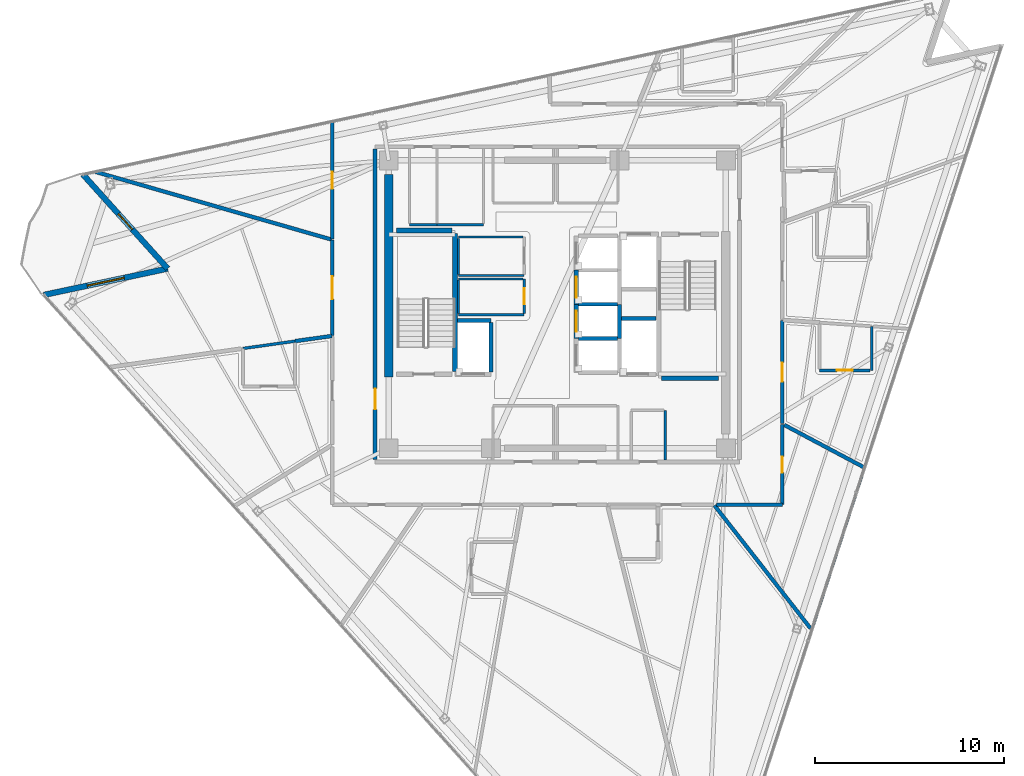
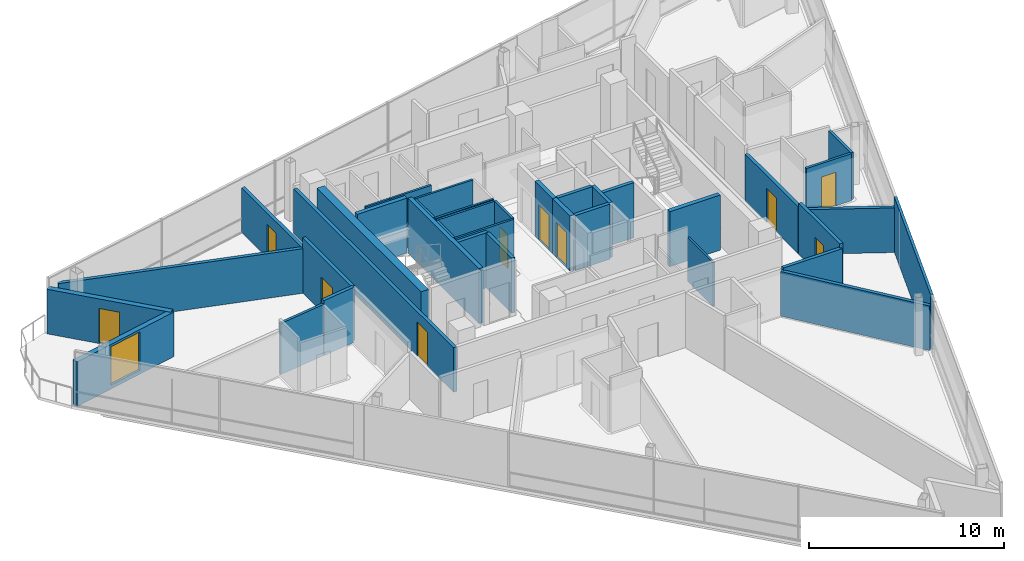
# One storey, part 11 of 17: 38 walls, 10 doors, 1 window, 11 openings.
"""IFC4 building model written with IfcOpenShell, lengths in metres."""

import ifcopenshell
import ifcopenshell.guid

model = None  # the IFC model being written
_history = None  # IfcOwnerHistory: only IFC2X3 demands one
_inside = {}  # id of a spatial element -> (the spatial element, [elements in it])
_under = {}  # id of a project, library or spatial element -> (it, [spatial elements below it])
_declared = {}  # id of a project -> (the project, [libraries it declares])
_typed = {}  # id of a type object -> (the type object, [elements of that type])
_made_of = {}  # id of a material, layer set ... -> (it, [elements and type objects made of it])


def new_model(schema):
    """Start an empty IFC model of exactly this schema.

    Asked for "IFC4X3", IfcOpenShell would pick the latest addendum, in which some entities
    have other attributes; the version numbers below select the first issue.
    IFC2X3 requires an IfcOwnerHistory on every rooted entity: one is made here for all.
    """
    global model, _history
    if schema == "IFC4X3":
        model = ifcopenshell.file(schema_version=(4, 3, 0, 0))
    else:
        model = ifcopenshell.file(schema=schema)
    _inside.clear()
    _under.clear()
    _declared.clear()
    _typed.clear()
    _made_of.clear()
    _history = None
    if model.schema == "IFC2X3":
        org = make("IfcOrganization", Name="unknown")
        user = make(
            "IfcPersonAndOrganization",
            ThePerson=make("IfcPerson", FamilyName="unknown"),
            TheOrganization=org,
        )
        app = make(
            "IfcApplication",
            ApplicationDeveloper=org,
            Version="unknown",
            ApplicationFullName="unknown",
            ApplicationIdentifier="unknown",
        )
        _history = make(
            "IfcOwnerHistory",
            OwningUser=user,
            OwningApplication=app,
            ChangeAction="ADDED",
            CreationDate=0,
        )
    return model


def make(cls, **values):
    """One entity of the class cls with the attributes given. An attribute that is None is left unset."""
    return model.create_entity(
        cls, **{name: value for name, value in values.items() if value is not None}
    )


def rooted(cls, **values):
    """An entity with a GlobalId (a new one), such as an element, a storey or a relation."""
    return make(cls, GlobalId=ifcopenshell.guid.new(), OwnerHistory=_history, **values)


def si_unit(unit_type, name, prefix=None):
    """IfcSIUnit, for example si_unit("LENGTHUNIT", "METRE", prefix="MILLI")."""
    return make("IfcSIUnit", UnitType=unit_type, Prefix=prefix, Name=name)


def assignment(units):
    """IfcUnitAssignment: the units of a project."""
    return None if units is None else make("IfcUnitAssignment", Units=units)


def point(xyz):
    """IfcCartesianPoint."""
    return None if xyz is None else make("IfcCartesianPoint", Coordinates=xyz)


def direction(xyz):
    """IfcDirection."""
    return None if xyz is None else make("IfcDirection", DirectionRatios=xyz)


def frame(location, z_axis=None, x_axis=None):
    """IfcAxis2Placement3D, a coordinate frame: its origin and axes. An axis left out is left unset."""
    return make(
        "IfcAxis2Placement3D",
        Location=point(location),
        Axis=direction(z_axis),
        RefDirection=direction(x_axis),
    )


def frame_2d(location, x_axis=None):
    """IfcAxis2Placement2D, a coordinate frame in the plane: its origin and x axis."""
    return make(
        "IfcAxis2Placement2D", Location=point(location), RefDirection=direction(x_axis)
    )


def origin():
    """The frame at (0, 0, 0) with its axes left unset."""
    return frame((0.0, 0.0, 0.0))


def place(relative_to, where):
    """IfcLocalPlacement: puts the frame where relative to a parent placement (None: the world)."""
    return make(
        "IfcLocalPlacement", PlacementRelTo=relative_to, RelativePlacement=where
    )


def context(
    kind, dimensions, precision=None, world=None, true_north=None, identifier=None
):
    """IfcGeometricRepresentationContext, for example the 3D "Model" context."""
    return make(
        "IfcGeometricRepresentationContext",
        ContextIdentifier=identifier,
        ContextType=kind,
        CoordinateSpaceDimension=dimensions,
        Precision=precision,
        WorldCoordinateSystem=world,
        TrueNorth=true_north,
    )


def subcontext(parent, identifier, kind, view, scale=None):
    """IfcGeometricRepresentationSubContext, for example "Body" below "Model"."""
    return make(
        "IfcGeometricRepresentationSubContext",
        ContextIdentifier=identifier,
        ContextType=kind,
        ParentContext=parent,
        TargetScale=scale,
        TargetView=view,
    )


def project(units=None, contexts=None):
    """IfcProject with its units and contexts."""
    return rooted(
        "IfcProject",
        Name="project",
        RepresentationContexts=contexts,
        UnitsInContext=assignment(units),
    )


def spatial(cls, under=None, at=None, **own):
    """A site, building, storey or space (cls), placed at a placement, below another one or the project."""
    s = rooted(cls, ObjectPlacement=at, **own)
    if under is not None:
        _under.setdefault(under.id(), (under, []))[1].append(s)
    return s


def profile(cls, at=None, kind="AREA", **sizes):
    """A parametric profile (cls). Its sizes go by their IFC names, for example OverallWidth=200.0."""
    return make(cls, ProfileType=kind, Position=at, **sizes)


def rectangle(**sizes):
    """IfcRectangleProfileDef."""
    return profile("IfcRectangleProfileDef", **sizes)


def extrude(swept, where, along, depth):
    """IfcExtrudedAreaSolid: the profile swept, set in the frame where, extruded along a direction by depth."""
    return make(
        "IfcExtrudedAreaSolid",
        SweptArea=swept,
        Position=where,
        ExtrudedDirection=direction(along),
        Depth=depth,
    )


def shape(context_of_items, identifier, shape_type, items):
    """IfcShapeRepresentation: the items that make up one representation, for example the "Body"."""
    return make(
        "IfcShapeRepresentation",
        ContextOfItems=context_of_items,
        RepresentationIdentifier=identifier,
        RepresentationType=shape_type,
        Items=items,
    )


def material(Name=None, Category=None):
    """IfcMaterial."""
    return make("IfcMaterial", Name=Name, Category=Category)


def layer(
    of_material, thickness, ventilated=None, Name=None, Category=None, Priority=None
):
    """IfcMaterialLayer: one layer of a wall or slab, of a material (None: an air gap)."""
    return make(
        "IfcMaterialLayer",
        Material=of_material,
        LayerThickness=thickness,
        IsVentilated=ventilated,
        Name=Name,
        Category=Category,
        Priority=Priority,
    )


def layer_set(layers, Name=None):
    """IfcMaterialLayerSet."""
    return make("IfcMaterialLayerSet", MaterialLayers=layers, LayerSetName=Name)


def made_of(thing, what):
    """Note that an element or type object is made of a material, layer set ...; save() writes the relation."""
    if what is not None:
        _made_of.setdefault(what.id(), (what, []))[1].append(thing)
    return thing


def type_object(cls, material=None, **own):
    """A type object (cls), such as IfcWallType, which elements share."""
    return made_of(rooted(cls, **own), material)


def element(
    cls,
    number,
    at=None,
    inside=None,
    cuts=None,
    type_object=None,
    material=None,
    context=None,
    identifier="Body",
    shape_type=None,
    held_by="IfcProductDefinitionShape",
    body=None,
    shapes=None,
    **own,
):
    """One element of the class cls, such as IfcWall. Its Tag is "e" and its number.

    at: its placement. inside: the storey or other place that contains it. cuts: it is an
    opening in that element (IfcRelVoidsElement). A single representation is given by context,
    identifier, shape_type and body (its items); several are given by shapes. held_by: the class
    of the entity that holds the representations. save() writes the other relations.
    """
    e = rooted(cls, Tag="e%d" % number, ObjectPlacement=at, **own)
    if body is not None:
        shapes = [shape(context, identifier, shape_type, body)]
    if shapes is not None:
        e.Representation = make(held_by, Representations=shapes)
    if inside is not None:
        _inside.setdefault(inside.id(), (inside, []))[1].append(e)
    if cuts is not None:
        rooted(
            "IfcRelVoidsElement", RelatingBuildingElement=cuts, RelatedOpeningElement=e
        )
    if type_object is not None:
        _typed.setdefault(type_object.id(), (type_object, []))[1].append(e)
    return made_of(e, material)


def fill(opening, filler):
    """IfcRelFillsElement: the door or window that sits in an opening."""
    return rooted(
        "IfcRelFillsElement",
        RelatingOpeningElement=opening,
        RelatedBuildingElement=filler,
    )


def aggregate(whole, parts):
    """IfcRelAggregates: a whole, such as a stair, and the parts it consists of."""
    return rooted("IfcRelAggregates", RelatingObject=whole, RelatedObjects=parts)


def save(model, path):
    """Write the relations noted so far, then the file.

    IfcRelAggregates (storeys below a building ...), IfcRelContainedInSpatialStructure (elements
    in a storey), IfcRelDefinesByType, IfcRelAssociatesMaterial and IfcRelDeclares: one each for
    every whole, place, type object, material and project.
    """
    for whole, parts in _under.values():
        aggregate(whole, parts)
    for where, things in _inside.values():
        rooted(
            "IfcRelContainedInSpatialStructure",
            RelatedElements=things,
            RelatingStructure=where,
        )
    for kind, things in _typed.values():
        rooted("IfcRelDefinesByType", RelatedObjects=things, RelatingType=kind)
    for what, things in _made_of.values():
        rooted("IfcRelAssociatesMaterial", RelatedObjects=things, RelatingMaterial=what)
    for by, libraries in _declared.values():
        rooted("IfcRelDeclares", RelatingContext=by, RelatedDefinitions=libraries)
    model.write(path)


model = new_model("IFC4")

# Units and contexts
model_context = context("Model", 3, precision=1e-05, world=origin(), true_north=direction((0.0, 1.0)))
body_context = subcontext(model_context, "Body", "Model", "MODEL_VIEW")
ifc_project = project(units=[si_unit("LENGTHUNIT", "METRE"), si_unit("AREAUNIT", "SQUARE_METRE"), si_unit("VOLUMEUNIT", "CUBIC_METRE"), si_unit("PLANEANGLEUNIT", "RADIAN"), si_unit("MASSUNIT", "GRAM", prefix="KILO")], contexts=[model_context])

# Site, building, storey
site_placement = place(None, origin())
site = spatial("IfcSite", under=ifc_project, at=site_placement, CompositionType="ELEMENT")
building_placement = place(site_placement, origin())
building = spatial("IfcBuilding", under=site, at=building_placement, Name="Tharavind Bronze Gate", CompositionType="ELEMENT")
storey_placement = place(building_placement, frame((0.0, 0.0, 294.35009765625)))
storey = spatial("IfcBuildingStorey", under=building, at=storey_placement, Name="L76", CompositionType="ELEMENT", Elevation=294.35009765625)

# Wall, opening, door
ifc_material_1 = material(Name="Concrete C40/50", Category="concrete")
ifc_layer_1 = layer(ifc_material_1, 0.300048828125)
ifc_layer_set_1 = layer_set([ifc_layer_1], Name="Concrete C40/50")
wall_type_1 = type_object("IfcWallType", Name="EXTERIOR SPANDREL WALL 300", PredefinedType="STANDARD", material=ifc_layer_set_1)
wall_1_placement = place(storey_placement, frame((-25.041015625, 6.84814453125, 0.0), z_axis=(0.0, 0.0, 1.0), x_axis=(0.669132313306, -0.743143288532, 0.0)))
wall_1 = element("IfcWall", 1, at=wall_1_placement, inside=storey, type_object=wall_type_1, Name="L76 notch cheek wall 1A", PredefinedType="STANDARD", context=body_context, shape_type="SweptSolid", body=[
    extrude(rectangle(XDim=6.679931640625, YDim=0.300048828125, at=frame_2d((3.33984375, 0.0))), origin(), (0.0, 0.0, 1.0), 2.794921875),
])
opening_1_placement = place(wall_1_placement, frame((2.7900390625, 0.0, 0.0)))
opening_1 = element("IfcOpeningElement", 2, at=opening_1_placement, cuts=wall_1, Name="Opening ED04", PredefinedType="OPENING", context=body_context, shape_type="SweptSolid", body=[
    extrude(rectangle(XDim=1.10009765625, YDim=2.199951171875, at=frame_2d((0.550048828125, 1.10009765625))), frame((0.0, 0.15990234375, 0.0), z_axis=(0.0, -1.0, 0.0), x_axis=(1.0, 0.0, 0.0)), (0.0, 0.0, 1.0), 0.320048828125),
])
ifc_material_2 = material(Name="Bronze Aluminium & Toughened Glass", Category="aluminium")
door_type_1 = type_object("IfcDoorType", Name="TREE BALCONY ACCESS DOOR 1100X2200", OperationType="SINGLE_SWING_LEFT", PredefinedType="DOOR", material=ifc_material_2)
door_1_placement = place(opening_1_placement, origin())
door_1 = element("IfcDoor", 3, at=door_1_placement, inside=storey, type_object=door_type_1, Name="L76 tree balcony access door", OperationType="SINGLE_SWING_LEFT", OverallHeight=2.199951171875, OverallWidth=1.10009765625, PredefinedType="DOOR", context=body_context, shape_type="SweptSolid", body=[
    extrude(rectangle(XDim=1.10009765625, YDim=2.199951171875, at=frame_2d((0.550048828125, 1.10009765625))), frame((0.0, 0.02490234375, 0.0), z_axis=(0.0, -1.0, 0.0), x_axis=(1.0, 0.0, 0.0)), (0.0, 0.0, 1.0), 0.050048828125),
])
fill(opening_1, door_1)

# Wall, opening, window
wall_2_placement = place(storey_placement, frame((-20.5712890625, 1.884033203125, 0.0), z_axis=(0.0, 0.0, 1.0), x_axis=(-0.978145008547, -0.207923885724, 0.0)))
wall_2 = element("IfcWall", 4, at=wall_2_placement, inside=storey, type_object=wall_type_1, Name="L76 notch cheek wall 1B", PredefinedType="STANDARD", context=body_context, shape_type="SweptSolid", body=[
    extrude(rectangle(XDim=6.679931640625, YDim=0.300048828125, at=frame_2d((3.33984375, 0.0))), origin(), (0.0, 0.0, 1.0), 2.794921875),
])
opening_2_placement = place(wall_2_placement, frame((2.340087890625, 0.0, 0.25)))
opening_2 = element("IfcOpeningElement", 5, at=opening_2_placement, cuts=wall_2, Name="Opening W06", PredefinedType="OPENING", context=body_context, shape_type="SweptSolid", body=[
    extrude(rectangle(XDim=2.0, YDim=2.39990234375, at=frame_2d((1.0, 1.199951171875))), frame((0.0, 0.15990234375, 0.0), z_axis=(0.0, -1.0, 0.0), x_axis=(1.0, 0.0, 0.0)), (0.0, 0.0, 1.0), 0.320048828125),
])
ifc_material_3 = material(Name="Bronze Aluminium & Low-E Glass", Category="aluminium")
window_type = type_object("IfcWindowType", Name="CROWN OBSERVATORY WINDOW 2000X2400", PartitioningType="DOUBLE_PANEL_VERTICAL", PredefinedType="WINDOW", material=ifc_material_3)
window_placement = place(opening_2_placement, origin())
window = element("IfcWindow", 6, at=window_placement, inside=storey, type_object=window_type, Name="L76 exterior window WL-L76-NCB1-01", OverallHeight=2.39990234375, OverallWidth=2.0, PartitioningType="SINGLE_PANEL", PredefinedType="WINDOW", context=body_context, shape_type="SweptSolid", body=[
    extrude(rectangle(XDim=2.0, YDim=2.39990234375, at=frame_2d((1.0, 1.199951171875))), frame((0.0, 0.030029296875, 0.0), z_axis=(0.0, -1.0, 0.0), x_axis=(1.0, 0.0, 0.0)), (0.0, 0.0, 1.0), 0.06005859375),
])
fill(opening_2, window)

# Wall, opening, door
ifc_material_4 = material(Name="Aerated Concrete Block", Category="concrete")
ifc_layer_2 = layer(ifc_material_4, 0.199951171875)
ifc_layer_set_2 = layer_set([ifc_layer_2], Name="Aerated Concrete Block")
wall_type_2 = type_object("IfcWallType", Name="FIRE RATED PARTITION 200", PredefinedType="PARTITIONING", material=ifc_layer_set_2)
wall_3_placement = place(storey_placement, frame((-9.6201171875, 8.199951171875, 0.0), z_axis=(0.0, 0.0, 1.0), x_axis=(0.0, -1.0, 0.0)))
wall_3 = element("IfcWall", 7, at=wall_3_placement, inside=storey, type_object=wall_type_2, Name="L76 west core corridor wall", PredefinedType="PARTITIONING", context=body_context, shape_type="SweptSolid", body=[
    extrude(rectangle(XDim=16.39990234375, YDim=0.199951171875, at=frame_2d((8.199951171875, 0.0))), origin(), (0.0, 0.0, 1.0), 2.794921875),
])
opening_3_placement = place(wall_3_placement, frame((12.64990234375, 0.0, 0.0)))
opening_3 = element("IfcOpeningElement", 8, at=opening_3_placement, cuts=wall_3, Name="Opening ID01", PredefinedType="OPENING", context=body_context, shape_type="SweptSolid", body=[
    extrude(rectangle(XDim=1.10009765625, YDim=2.14990234375, at=frame_2d((0.550048828125, 1.074951171875))), frame((0.0, 0.11009765625, 0.0), z_axis=(0.0, -1.0, 0.0), x_axis=(1.0, 0.0, 0.0)), (0.0, 0.0, 1.0), 0.219951171875),
])
ifc_material_5 = material(Name="Fire-Rated Steel", Category="steel")
door_type_2 = type_object("IfcDoorType", Name="STAIR CORE FIRE DOOR 1100X2150", OperationType="SINGLE_SWING_LEFT", PredefinedType="DOOR", material=ifc_material_5)
door_2_placement = place(opening_3_placement, frame((1.10009765625, 0.0, 0.0), z_axis=(0.0, 0.0, 1.0), x_axis=(-1.0, 0.0, 0.0)))
door_2 = element("IfcDoor", 9, at=door_2_placement, inside=storey, type_object=door_type_2, Name="L76 south west stair lobby fire door", OperationType="SINGLE_SWING_LEFT", OverallHeight=2.14990234375, OverallWidth=1.10009765625, PredefinedType="DOOR", context=body_context, shape_type="SweptSolid", body=[
    extrude(rectangle(XDim=1.10009765625, YDim=2.14990234375, at=frame_2d((0.550048828125, 1.074951171875))), frame((0.0, 0.02490234375, 0.0), z_axis=(0.0, -1.0, 0.0), x_axis=(1.0, 0.0, 0.0)), (0.0, 0.0, 1.0), 0.050048828125),
])
fill(opening_3, door_2)

wall_4_placement = place(storey_placement, frame((11.8798828125, -10.579345703125, 0.0), z_axis=(0.0, 0.0, 1.0), x_axis=(0.0, 1.0, 0.0)))
wall_4 = element("IfcWall", 10, at=wall_4_placement, inside=storey, type_object=wall_type_2, Name="L76 Public Restrooms Block partition", PredefinedType="PARTITIONING", context=body_context, shape_type="SweptSolid", body=[
    extrude(rectangle(XDim=4.220947265625, YDim=0.199951171875, at=frame_2d((2.1103515625, 0.0))), origin(), (0.0, 0.0, 1.0), 3.204833984375),
])
opening_4_placement = place(wall_4_placement, frame((1.68603515625, 0.0, 0.0)))
opening_4 = element("IfcOpeningElement", 11, at=opening_4_placement, cuts=wall_4, Name="Opening ID06", PredefinedType="OPENING", context=body_context, shape_type="SweptSolid", body=[
    extrude(rectangle(XDim=0.85009765625, YDim=2.10009765625, at=frame_2d((0.425048828125, 1.050048828125))), frame((0.0, 0.11009765625, 0.0), z_axis=(0.0, -1.0, 0.0), x_axis=(1.0, 0.0, 0.0)), (0.0, 0.0, 1.0), 0.219951171875),
])
ifc_material_6 = material(Name="Moisture-Resistant Timber", Category="wood")
door_type_3 = type_object("IfcDoorType", Name="BATHROOM PRIVACY DOOR 850X2100", OperationType="SINGLE_SWING_RIGHT", PredefinedType="DOOR", material=ifc_material_6)
door_3_placement = place(opening_4_placement, origin())
door_3 = element("IfcDoor", 12, at=door_3_placement, inside=storey, type_object=door_type_3, Name="L76 Public Restrooms Block door", OperationType="SINGLE_SWING_RIGHT", OverallHeight=2.10009765625, OverallWidth=0.85009765625, PredefinedType="DOOR", context=body_context, shape_type="SweptSolid", body=[
    extrude(rectangle(XDim=0.85009765625, YDim=2.10009765625, at=frame_2d((0.425048828125, 1.050048828125))), frame((0.0, 0.02490234375, 0.0), z_axis=(0.0, -1.0, 0.0), x_axis=(1.0, 0.0, 0.0)), (0.0, 0.0, 1.0), 0.050048828125),
])
fill(opening_4, door_3)

# Walls
wall_5_placement = place(storey_placement, frame((11.985107421875, -6.37255859375, 0.0), z_axis=(0.0, 0.0, 1.0), x_axis=(0.882951887582, -0.469463485498, 0.0)))
element("IfcWall", 13, at=wall_5_placement, inside=storey, type_object=wall_type_2, Name="L76 Public Restrooms Block partition", PredefinedType="PARTITIONING", context=body_context, shape_type="SweptSolid", body=[
    extrude(rectangle(XDim=4.767333984375, YDim=0.199951171875, at=frame_2d((2.3837890625, 0.0))), origin(), (0.0, 0.0, 1.0), 2.794921875),
])
wall_6_placement = place(storey_placement, frame((13.36962890625, -17.1123046875, 0.0), z_axis=(0.0, 0.0, 1.0), x_axis=(-0.615658418865, 0.788013141566, 0.0)))
element("IfcWall", 14, at=wall_6_placement, inside=storey, type_object=wall_type_2, Name="L76 Public Restrooms Block partition", PredefinedType="PARTITIONING", context=body_context, shape_type="SweptSolid", body=[
    extrude(rectangle(XDim=8.23828125, YDim=0.199951171875, at=frame_2d((4.119140625, 0.0))), origin(), (0.0, 0.0, 1.0), 2.794921875),
])
wall_7_placement = place(storey_placement, frame((8.3994140625, -10.580078125, 0.0), z_axis=(0.0, 0.0, 1.0), x_axis=(1.0, 0.0, 0.0)))
element("IfcWall", 15, at=wall_7_placement, inside=storey, type_object=wall_type_2, Name="L76 Public Restrooms Block partition", PredefinedType="PARTITIONING", context=body_context, shape_type="SweptSolid", body=[
    extrude(rectangle(XDim=3.47998046875, YDim=0.199951171875, at=frame_2d((1.739990234375, 0.0))), origin(), (0.0, 0.0, 1.0), 2.94482421875),
])

# Wall, opening, door
wall_8_placement = place(storey_placement, frame((-11.8798828125, 9.645751953125, 0.0), z_axis=(0.0, 0.0, 1.0), x_axis=(0.0, -1.0, 0.0)))
wall_8 = element("IfcWall", 16, at=wall_8_placement, inside=storey, type_object=wall_type_2, Name="L76 Housekeeping & Linen Room partition", PredefinedType="PARTITIONING", context=body_context, shape_type="SweptSolid", body=[
    extrude(rectangle(XDim=6.2060546875, YDim=0.199951171875, at=frame_2d((3.10302734375, 0.0))), origin(), (0.0, 0.0, 1.0), 2.794921875),
])
opening_5_placement = place(wall_8_placement, frame((2.653076171875, 0.0, 0.0)))
opening_5 = element("IfcOpeningElement", 17, at=opening_5_placement, cuts=wall_8, Name="Opening ID07", PredefinedType="OPENING", context=body_context, shape_type="SweptSolid", body=[
    extrude(rectangle(XDim=0.89990234375, YDim=2.10009765625, at=frame_2d((0.449951171875, 1.050048828125))), frame((0.0, 0.11009765625, 0.0), z_axis=(0.0, -1.0, 0.0), x_axis=(1.0, 0.0, 0.0)), (0.0, 0.0, 1.0), 0.219951171875),
])
ifc_material_7 = material(Name="Galvanised Fire Steel", Category="steel")
door_type_4 = type_object("IfcDoorType", Name="PLANT AND RISER FIRE DOOR 900X2100", OperationType="SINGLE_SWING_LEFT", PredefinedType="DOOR", material=ifc_material_7)
door_4_placement = place(opening_5_placement, origin())
door_4 = element("IfcDoor", 18, at=door_4_placement, inside=storey, type_object=door_type_4, Name="L76 Housekeeping & Linen Room door", OperationType="SINGLE_SWING_LEFT", OverallHeight=2.10009765625, OverallWidth=0.89990234375, PredefinedType="DOOR", context=body_context, shape_type="SweptSolid", body=[
    extrude(rectangle(XDim=0.89990234375, YDim=2.10009765625, at=frame_2d((0.449951171875, 1.050048828125))), frame((0.0, 0.02490234375, 0.0), z_axis=(0.0, -1.0, 0.0), x_axis=(1.0, 0.0, 0.0)), (0.0, 0.0, 1.0), 0.050048828125),
])
fill(opening_5, door_4)

# Wall
wall_9_placement = place(storey_placement, frame((-11.911865234375, 3.415771484375, 0.0), z_axis=(0.0, 0.0, 1.0), x_axis=(-0.961266312762, 0.275621254529, 0.0)))
element("IfcWall", 19, at=wall_9_placement, inside=storey, type_object=wall_type_2, Name="L76 Housekeeping & Linen Room partition", PredefinedType="PARTITIONING", context=body_context, shape_type="SweptSolid", body=[
    extrude(rectangle(XDim=12.966064453125, YDim=0.199951171875, at=frame_2d((6.48291015625, 0.0))), origin(), (0.0, 0.0, 1.0), 2.794921875),
])

# Wall, opening, door
wall_10_placement = place(storey_placement, frame((-11.8798828125, 3.3876953125, 0.0), z_axis=(0.0, 0.0, 1.0), x_axis=(0.0, -1.0, 0.0)))
wall_10 = element("IfcWall", 20, at=wall_10_placement, inside=storey, type_object=wall_type_2, Name="L76 Hotel Guest Lounge partition", PredefinedType="PARTITIONING", context=body_context, shape_type="SweptSolid", body=[
    extrude(rectangle(XDim=5.03564453125, YDim=0.199951171875, at=frame_2d((2.517822265625, 0.0))), origin(), (0.0, 0.0, 1.0), 3.449951171875),
])
opening_6_placement = place(wall_10_placement, frame((1.91796875, 0.0, 0.0)))
opening_6 = element("IfcOpeningElement", 21, at=opening_6_placement, cuts=wall_10, Name="Opening ID05", PredefinedType="OPENING", context=body_context, shape_type="SweptSolid", body=[
    extrude(rectangle(XDim=1.199951171875, YDim=2.14990234375, at=frame_2d((0.60009765625, 1.074951171875))), frame((0.0, 0.11009765625, 0.0), z_axis=(0.0, -1.0, 0.0), x_axis=(1.0, 0.0, 0.0)), (0.0, 0.0, 1.0), 0.219951171875),
])
ifc_material_8 = material(Name="Acoustic Laminated Glass", Category="glass")
door_type_5 = type_object("IfcDoorType", Name="MEETING ROOM GLAZED DOOR 1200X2150", OperationType="SINGLE_SWING_LEFT", PredefinedType="DOOR", material=ifc_material_8)
door_5_placement = place(opening_6_placement, origin())
door_5 = element("IfcDoor", 22, at=door_5_placement, inside=storey, type_object=door_type_5, Name="L76 Hotel Guest Lounge door", OperationType="SINGLE_SWING_LEFT", OverallHeight=2.14990234375, OverallWidth=1.199951171875, PredefinedType="DOOR", context=body_context, shape_type="SweptSolid", body=[
    extrude(rectangle(XDim=1.199951171875, YDim=2.14990234375, at=frame_2d((0.60009765625, 1.074951171875))), frame((0.0, 0.02490234375, 0.0), z_axis=(0.0, -1.0, 0.0), x_axis=(1.0, 0.0, 0.0)), (0.0, 0.0, 1.0), 0.050048828125),
])
fill(opening_6, door_5)

# Wall
wall_11_placement = place(storey_placement, frame((-11.901611328125, -1.672607421875, 0.0), z_axis=(0.0, 0.0, 1.0), x_axis=(-0.99027929031, -0.139093231981, 0.0)))
element("IfcWall", 23, at=wall_11_placement, inside=storey, type_object=wall_type_2, Name="L76 Hotel Guest Lounge partition", PredefinedType="PARTITIONING", context=body_context, shape_type="SweptSolid", body=[
    extrude(rectangle(XDim=1.967529296875, YDim=0.199951171875, at=frame_2d((0.98388671875, 0.0))), origin(), (0.0, 0.0, 1.0), 3.449951171875),
])

# Wall, opening, door
wall_12_placement = place(storey_placement, frame((11.8798828125, -6.3017578125, 0.0), z_axis=(0.0, 0.0, 1.0), x_axis=(0.0, 1.0, 0.0)))
wall_12 = element("IfcWall", 24, at=wall_12_placement, inside=storey, type_object=wall_type_2, Name="L76 Corner Hotel Suite partition", PredefinedType="PARTITIONING", context=body_context, shape_type="SweptSolid", body=[
    extrude(rectangle(XDim=5.4443359375, YDim=0.199951171875, at=frame_2d((2.72216796875, 0.0))), origin(), (0.0, 0.0, 1.0), 2.94482421875),
])
opening_7_placement = place(wall_12_placement, frame((2.221923828125, 0.0, 0.0)))
opening_7 = element("IfcOpeningElement", 25, at=opening_7_placement, cuts=wall_12, Name="Opening ID03", PredefinedType="OPENING", context=body_context, shape_type="SweptSolid", body=[
    extrude(rectangle(XDim=1.0, YDim=2.14990234375, at=frame_2d((0.5, 1.074951171875))), frame((0.0, 0.11009765625, 0.0), z_axis=(0.0, -1.0, 0.0), x_axis=(1.0, 0.0, 0.0)), (0.0, 0.0, 1.0), 0.219951171875),
])
ifc_material_9 = material(Name="Solid Timber Veneer", Category="wood")
door_type_6 = type_object("IfcDoorType", Name="HOTEL SUITE ENTRANCE DOOR 1000X2150", OperationType="SINGLE_SWING_LEFT", PredefinedType="DOOR", material=ifc_material_9)
door_6_placement = place(opening_7_placement, origin())
door_6 = element("IfcDoor", 26, at=door_6_placement, inside=storey, type_object=door_type_6, Name="L76 Corner Hotel Suite door", OperationType="SINGLE_SWING_LEFT", OverallHeight=2.14990234375, OverallWidth=1.0, PredefinedType="DOOR", context=body_context, shape_type="SweptSolid", body=[
    extrude(rectangle(XDim=1.0, YDim=2.14990234375, at=frame_2d((0.5, 1.074951171875))), frame((0.0, 0.02490234375, 0.0), z_axis=(0.0, -1.0, 0.0), x_axis=(1.0, 0.0, 0.0)), (0.0, 0.0, 1.0), 0.050048828125),
])
fill(opening_7, door_6)

# Walls
ifc_material_10 = material(Name="Metal Stud Gypsum Partition", Category="gypsum")
ifc_layer_3 = layer(ifc_material_10, 0.1201171875)
ifc_layer_set_3 = layer_set([ifc_layer_3], Name="Metal Stud Gypsum Partition")
wall_type_3 = type_object("IfcWallType", Name="INTERIOR PARTITION WALL 120", PredefinedType="PARTITIONING", material=ifc_layer_set_3)
wall_13_placement = place(storey_placement, frame((-5.219970703125, 1.52001953125, 0.0), z_axis=(0.0, 0.0, 1.0), x_axis=(1.0, 0.0, 0.0)))
element("IfcWall", 27, at=wall_13_placement, inside=storey, type_object=wall_type_3, Name="L76 Cleaner Store Room partition 1", PredefinedType="PARTITIONING", context=body_context, shape_type="SweptSolid", body=[
    extrude(rectangle(XDim=3.469970703125, YDim=0.1201171875, at=frame_2d((1.73486328125, 0.0))), origin(), (0.0, 0.0, 1.0), 3.449951171875),
])
wall_14_placement = place(storey_placement, frame((-1.81494140625, 3.550048828125, 0.0), z_axis=(0.0, 0.0, 1.0), x_axis=(-1.0, 0.0, 0.0)))
element("IfcWall", 28, at=wall_14_placement, inside=storey, type_object=wall_type_3, Name="L76 Cleaner Store Room partition 3", PredefinedType="PARTITIONING", context=body_context, shape_type="SweptSolid", body=[
    extrude(rectangle(XDim=3.405029296875, YDim=0.1201171875, at=frame_2d((1.70263671875, 0.0))), origin(), (0.0, 0.0, 1.0), 3.449951171875),
])
wall_15_placement = place(storey_placement, frame((-5.219970703125, 3.485107421875, 0.0), z_axis=(0.0, 0.0, 1.0), x_axis=(0.0, -1.0, 0.0)))
element("IfcWall", 29, at=wall_15_placement, inside=storey, type_object=wall_type_3, Name="L76 Cleaner Store Room partition 4", PredefinedType="PARTITIONING", context=body_context, shape_type="SweptSolid", body=[
    extrude(rectangle(XDim=1.900146484375, YDim=0.1201171875, at=frame_2d((0.9501953125, 0.0))), origin(), (0.0, 0.0, 1.0), 3.449951171875),
])
wall_16_placement = place(storey_placement, frame((-5.219970703125, -0.550048828125, 0.0), z_axis=(0.0, 0.0, 1.0), x_axis=(1.0, 0.0, 0.0)))
element("IfcWall", 30, at=wall_16_placement, inside=storey, type_object=wall_type_3, Name="L76 Electrical Switch Room partition 1", PredefinedType="PARTITIONING", context=body_context, shape_type="SweptSolid", body=[
    extrude(rectangle(XDim=3.469970703125, YDim=0.1201171875, at=frame_2d((1.73486328125, 0.0))), origin(), (0.0, 0.0, 1.0), 3.449951171875),
])

# Wall, opening, door
wall_17_placement = place(storey_placement, frame((-1.75, -0.485107421875, 0.0), z_axis=(0.0, 0.0, 1.0), x_axis=(0.0, 1.0, 0.0)))
wall_17 = element("IfcWall", 31, at=wall_17_placement, inside=storey, type_object=wall_type_3, Name="L76 Electrical Switch Room partition 2", PredefinedType="PARTITIONING", context=body_context, shape_type="SweptSolid", body=[
    extrude(rectangle(XDim=1.8251953125, YDim=0.1201171875, at=frame_2d((0.91259765625, 0.0))), origin(), (0.0, 0.0, 1.0), 3.449951171875),
])
opening_8_placement = place(wall_17_placement, frame((0.488037109375, 0.0, 0.0)))
opening_8 = element("IfcOpeningElement", 32, at=opening_8_placement, cuts=wall_17, Name="Opening ID06", PredefinedType="OPENING", context=body_context, shape_type="SweptSolid", body=[
    extrude(rectangle(XDim=0.85009765625, YDim=2.10009765625, at=frame_2d((0.425048828125, 1.050048828125))), frame((0.0, 0.07005859375, 0.0), z_axis=(0.0, -1.0, 0.0), x_axis=(1.0, 0.0, 0.0)), (0.0, 0.0, 1.0), 0.1401171875),
])
door_7_placement = place(opening_8_placement, frame((0.85009765625, 0.0, 0.0), z_axis=(0.0, 0.0, 1.0), x_axis=(-1.0, 0.0, 0.0)))
door_7 = element("IfcDoor", 33, at=door_7_placement, inside=storey, type_object=door_type_3, Name="L76 Electrical Switch Room door", OperationType="SINGLE_SWING_RIGHT", OverallHeight=2.10009765625, OverallWidth=0.85009765625, PredefinedType="DOOR", context=body_context, shape_type="SweptSolid", body=[
    extrude(rectangle(XDim=0.85009765625, YDim=2.10009765625, at=frame_2d((0.425048828125, 1.050048828125))), frame((0.0, 0.02490234375, 0.0), z_axis=(0.0, -1.0, 0.0), x_axis=(1.0, 0.0, 0.0)), (0.0, 0.0, 1.0), 0.050048828125),
])
fill(opening_8, door_7)

# Walls
wall_18_placement = place(storey_placement, frame((-1.81494140625, 1.340087890625, 0.0), z_axis=(0.0, 0.0, 1.0), x_axis=(-1.0, 0.0, 0.0)))
element("IfcWall", 34, at=wall_18_placement, inside=storey, type_object=wall_type_3, Name="L76 Electrical Switch Room partition 3", PredefinedType="PARTITIONING", context=body_context, shape_type="SweptSolid", body=[
    extrude(rectangle(XDim=3.405029296875, YDim=0.1201171875, at=frame_2d((1.70263671875, 0.0))), origin(), (0.0, 0.0, 1.0), 3.449951171875),
])
wall_19_placement = place(storey_placement, frame((-5.219970703125, 1.27490234375, 0.0), z_axis=(0.0, 0.0, 1.0), x_axis=(0.0, -1.0, 0.0)))
element("IfcWall", 35, at=wall_19_placement, inside=storey, type_object=wall_type_3, Name="L76 Electrical Switch Room partition 4", PredefinedType="PARTITIONING", context=body_context, shape_type="SweptSolid", body=[
    extrude(rectangle(XDim=1.760009765625, YDim=0.1201171875, at=frame_2d((0.8798828125, 0.0))), origin(), (0.0, 0.0, 1.0), 3.449951171875),
])
wall_20_placement = place(storey_placement, frame((-7.800048828125, 4.199951171875, 0.0), z_axis=(0.0, 0.0, 1.0), x_axis=(1.0, 0.0, 0.0)))
element("IfcWall", 36, at=wall_20_placement, inside=storey, type_object=wall_type_3, Name="L76 Battery Backup Cupboard partition 1", PredefinedType="PARTITIONING", context=body_context, shape_type="SweptSolid", body=[
    extrude(rectangle(XDim=1.449951171875, YDim=0.1201171875, at=frame_2d((0.72509765625, 0.0))), origin(), (0.0, 0.0, 1.0), 3.449951171875),
])
wall_21_placement = place(storey_placement, frame((-6.35009765625, 4.199951171875, 0.0), z_axis=(0.0, 0.0, 1.0), x_axis=(1.0, 0.0, 0.0)))
element("IfcWall", 37, at=wall_21_placement, inside=storey, type_object=wall_type_3, Name="L76 Cleaner Store Room partition 1", PredefinedType="PARTITIONING", context=body_context, shape_type="SweptSolid", body=[
    extrude(rectangle(XDim=2.4501953125, YDim=0.1201171875, at=frame_2d((1.22509765625, 0.0))), origin(), (0.0, 0.0, 1.0), 3.449951171875),
])
wall_22_placement = place(storey_placement, frame((5.699951171875, -8.215087890625, 0.0), z_axis=(0.0, 0.0, 1.0), x_axis=(0.0, 1.0, 0.0)))
element("IfcWall", 38, at=wall_22_placement, inside=storey, type_object=wall_type_3, Name="L76 Janitor Store Cupboard partition 2", PredefinedType="PARTITIONING", context=body_context, shape_type="SweptSolid", body=[
    extrude(rectangle(XDim=2.614990234375, YDim=0.1201171875, at=frame_2d((1.3076171875, 0.0))), origin(), (0.0, 0.0, 1.0), 2.744873046875),
])
ifc_material_11 = material(Name="Twin Stud Acoustic Gypsum", Category="gypsum")
ifc_layer_4 = layer(ifc_material_11, 0.14990234375)
ifc_layer_set_4 = layer_set([ifc_layer_4], Name="Twin Stud Acoustic Gypsum")
wall_type_4 = type_object("IfcWallType", Name="INTERIOR PARTITION WALL 150", PredefinedType="PARTITIONING", material=ifc_layer_set_4)
wall_23_placement = place(storey_placement, frame((-16.60009765625, -2.3330078125, 0.0), z_axis=(0.0, 0.0, 1.0), x_axis=(0.990268698317, 0.139168621221, 0.0)))
element("IfcWall", 39, at=wall_23_placement, inside=storey, type_object=wall_type_4, Name="L76 En-Suite Bathroom partition", PredefinedType="PARTITIONING", context=body_context, shape_type="SweptSolid", body=[
    extrude(rectangle(XDim=2.777099609375, YDim=0.14990234375, at=frame_2d((1.388671875, 0.0))), origin(), (0.0, 0.0, 1.0), 3.204833984375),
])
wall_24_placement = place(storey_placement, frame((16.60009765625, -1.160888671875, 0.0), z_axis=(0.0, 0.0, 1.0), x_axis=(0.0, -1.0, 0.0)))
element("IfcWall", 40, at=wall_24_placement, inside=storey, type_object=wall_type_4, Name="L76 En-Suite Bathroom partition", PredefinedType="PARTITIONING", context=body_context, shape_type="SweptSolid", body=[
    extrude(rectangle(XDim=2.328125, YDim=0.14990234375, at=frame_2d((1.1640625, 0.0))), origin(), (0.0, 0.0, 1.0), 2.94482421875),
])

# Wall, opening, door
wall_25_placement = place(storey_placement, frame((16.52001953125, -3.489013671875, 0.0), z_axis=(0.0, 0.0, 1.0), x_axis=(-1.0, 0.0, 0.0)))
wall_25 = element("IfcWall", 41, at=wall_25_placement, inside=storey, type_object=wall_type_4, Name="L76 En-Suite Bathroom partition", PredefinedType="PARTITIONING", context=body_context, shape_type="SweptSolid", body=[
    extrude(rectangle(XDim=2.669921875, YDim=0.14990234375, at=frame_2d((1.3349609375, 0.0))), origin(), (0.0, 0.0, 1.0), 2.94482421875),
])
opening_9_placement = place(wall_25_placement, frame((0.909912109375, 0.0, 0.0)))
opening_9 = element("IfcOpeningElement", 42, at=opening_9_placement, cuts=wall_25, Name="Opening ID06", PredefinedType="OPENING", context=body_context, shape_type="SweptSolid", body=[
    extrude(rectangle(XDim=0.85009765625, YDim=2.10009765625, at=frame_2d((0.425048828125, 1.050048828125))), frame((0.0, 0.084951171875, 0.0), z_axis=(0.0, -1.0, 0.0), x_axis=(1.0, 0.0, 0.0)), (0.0, 0.0, 1.0), 0.16990234375),
])
door_8_placement = place(opening_9_placement, origin())
door_8 = element("IfcDoor", 43, at=door_8_placement, inside=storey, type_object=door_type_3, Name="L76 En-Suite Bathroom door", OperationType="SINGLE_SWING_RIGHT", OverallHeight=2.10009765625, OverallWidth=0.85009765625, PredefinedType="DOOR", context=body_context, shape_type="SweptSolid", body=[
    extrude(rectangle(XDim=0.85009765625, YDim=2.10009765625, at=frame_2d((0.425048828125, 1.050048828125))), frame((0.0, 0.02490234375, 0.0), z_axis=(0.0, -1.0, 0.0), x_axis=(1.0, 0.0, 0.0)), (0.0, 0.0, 1.0), 0.050048828125),
])
fill(opening_9, door_8)

# Walls
wall_26_placement = place(storey_placement, frame((16.206298828125, -8.640380859375, 0.0), z_axis=(0.0, 0.0, 1.0), x_axis=(-0.308993456207, -0.951064163988, 0.0)))
element("IfcWall", 44, at=wall_26_placement, inside=storey, type_object=wall_type_4, Name="L76 Public Restrooms Block partition", PredefinedType="PARTITIONING", context=body_context, shape_type="SweptSolid", body=[
    extrude(rectangle(XDim=8.94091796875, YDim=0.14990234375, at=frame_2d((4.470458984375, 0.0))), origin(), (0.0, 0.0, 1.0), 3.449951171875),
])
ifc_material_12 = material(Name="Concrete C50/60", Category="concrete")
ifc_layer_5 = layer(ifc_material_12, 0.25)
ifc_layer_set_5 = layer_set([ifc_layer_5], Name="Concrete C50/60")
wall_type_5 = type_object("IfcWallType", Name="RC CORE SHEAR WALL 250", PredefinedType="SHEAR", material=ifc_layer_set_5)
wall_27_placement = place(storey_placement, frame((-5.39990234375, -3.550048828125, 0.0), z_axis=(0.0, 0.0, 1.0), x_axis=(0.0, 1.0, 0.0)))
element("IfcWall", 45, at=wall_27_placement, inside=storey, type_object=wall_type_5, Name="L76 ST1 shaft east wall", PredefinedType="SHEAR", context=body_context, shape_type="SweptSolid", body=[
    extrude(rectangle(XDim=7.300048828125, YDim=0.25, at=frame_2d((3.64990234375, 0.0))), origin(), (0.0, 0.0, 1.0), 3.449951171875),
])
wall_28_placement = place(storey_placement, frame((-8.5, 3.89990234375, 0.0), z_axis=(0.0, 0.0, 1.0), x_axis=(1.0, 0.0, 0.0)))
element("IfcWall", 46, at=wall_28_placement, inside=storey, type_object=wall_type_5, Name="L76 ST1 shaft north wall", PredefinedType="SHEAR", context=body_context, shape_type="SweptSolid", body=[
    extrude(rectangle(XDim=2.949951171875, YDim=0.25, at=frame_2d((1.47509765625, 0.0))), origin(), (0.0, 0.0, 1.0), 3.449951171875),
])
wall_29_placement = place(storey_placement, frame((5.5, -3.89990234375, 0.0), z_axis=(0.0, 0.0, 1.0), x_axis=(1.0, 0.0, 0.0)))
element("IfcWall", 47, at=wall_29_placement, inside=storey, type_object=wall_type_5, Name="L76 ST2 shaft south wall", PredefinedType="SHEAR", context=body_context, shape_type="SweptSolid", body=[
    extrude(rectangle(XDim=3.0, YDim=0.25, at=frame_2d((1.5, 0.0))), origin(), (0.0, 0.0, 1.0), 3.449951171875),
])

# Wall, opening, door
wall_30_placement = place(storey_placement, frame((1.0, -1.800048828125, 0.0), z_axis=(0.0, 0.0, 1.0), x_axis=(0.0, 1.0, 0.0)))
wall_30 = element("IfcWall", 48, at=wall_30_placement, inside=storey, type_object=wall_type_5, Name="L76 lift PL10 shaft front wall", PredefinedType="SHEAR", context=body_context, shape_type="SweptSolid", body=[
    extrude(rectangle(XDim=1.800048828125, YDim=0.25, at=frame_2d((0.89990234375, 0.0))), origin(), (0.0, 0.0, 1.0), 3.449951171875),
])
opening_10_placement = place(wall_30_placement, frame((0.35009765625, 0.0, 0.0)))
opening_10 = element("IfcOpeningElement", 49, at=opening_10_placement, cuts=wall_30, Name="Opening LD01", PredefinedType="OPENING", context=body_context, shape_type="SweptSolid", body=[
    extrude(rectangle(XDim=1.10009765625, YDim=2.199951171875, at=frame_2d((0.550048828125, 1.10009765625))), frame((0.0, 0.135, 0.0), z_axis=(0.0, -1.0, 0.0), x_axis=(1.0, 0.0, 0.0)), (0.0, 0.0, 1.0), 0.27),
])
ifc_material_13 = material(Name="Brushed Bronze Stainless Steel", Category="steel")
door_type_7 = type_object("IfcDoorType", Name="LIFT LANDING SLIDING DOOR 1100X2200", OperationType="SLIDING_TO_LEFT", PredefinedType="DOOR", material=ifc_material_13)
door_9_placement = place(opening_10_placement, origin())
door_9 = element("IfcDoor", 50, at=door_9_placement, inside=storey, type_object=door_type_7, Name="L76 lift PL10 sliding landing door", OperationType="SLIDING_TO_LEFT", OverallHeight=2.199951171875, OverallWidth=1.10009765625, PredefinedType="DOOR", context=body_context, shape_type="SweptSolid", body=[
    extrude(rectangle(XDim=1.10009765625, YDim=2.199951171875, at=frame_2d((0.550048828125, 1.10009765625))), frame((0.0, 0.02490234375, 0.0), z_axis=(0.0, -1.0, 0.0), x_axis=(1.0, 0.0, 0.0)), (0.0, 0.0, 1.0), 0.050048828125),
])
fill(opening_10, door_9)

wall_31_placement = place(storey_placement, frame((1.0, 0.0, 0.0), z_axis=(0.0, 0.0, 1.0), x_axis=(0.0, 1.0, 0.0)))
wall_31 = element("IfcWall", 51, at=wall_31_placement, inside=storey, type_object=wall_type_5, Name="L76 lift PL11 shaft front wall", PredefinedType="SHEAR", context=body_context, shape_type="SweptSolid", body=[
    extrude(rectangle(XDim=1.800048828125, YDim=0.25, at=frame_2d((0.89990234375, 0.0))), origin(), (0.0, 0.0, 1.0), 3.449951171875),
])
opening_11_placement = place(wall_31_placement, frame((0.35009765625, 0.0, 0.0)))
opening_11 = element("IfcOpeningElement", 52, at=opening_11_placement, cuts=wall_31, Name="Opening LD01", PredefinedType="OPENING", context=body_context, shape_type="SweptSolid", body=[
    extrude(rectangle(XDim=1.10009765625, YDim=2.199951171875, at=frame_2d((0.550048828125, 1.10009765625))), frame((0.0, 0.135, 0.0), z_axis=(0.0, -1.0, 0.0), x_axis=(1.0, 0.0, 0.0)), (0.0, 0.0, 1.0), 0.27),
])
door_10_placement = place(opening_11_placement, origin())
door_10 = element("IfcDoor", 53, at=door_10_placement, inside=storey, type_object=door_type_7, Name="L76 lift PL11 sliding landing door", OperationType="SLIDING_TO_LEFT", OverallHeight=2.199951171875, OverallWidth=1.10009765625, PredefinedType="DOOR", context=body_context, shape_type="SweptSolid", body=[
    extrude(rectangle(XDim=1.10009765625, YDim=2.199951171875, at=frame_2d((0.550048828125, 1.10009765625))), frame((0.0, 0.02490234375, 0.0), z_axis=(0.0, -1.0, 0.0), x_axis=(1.0, 0.0, 0.0)), (0.0, 0.0, 1.0), 0.050048828125),
])
fill(opening_11, door_10)

# Walls
ifc_material_14 = material(Name="Concrete C60/75", Category="concrete")
ifc_layer_6 = layer(ifc_material_14, 0.449951171875)
ifc_layer_set_6 = layer_set([ifc_layer_6], Name="Concrete C60/75")
wall_type_6 = type_object("IfcWallType", Name="RC CORE SHEAR WALL 450", PredefinedType="SHEAR", material=ifc_layer_set_6)
wall_32_placement = place(storey_placement, frame((-8.89990234375, -3.85009765625, 0.0), z_axis=(0.0, 0.0, 1.0), x_axis=(0.0, 1.0, 0.0)))
element("IfcWall", 54, at=wall_32_placement, inside=storey, type_object=wall_type_6, Name="L76 west core shear wall", PredefinedType="SHEAR", context=body_context, shape_type="SweptSolid", body=[
    extrude(rectangle(XDim=10.7001953125, YDim=0.449951171875, at=frame_2d((5.35009765625, 0.0))), origin(), (0.0, 0.0, 1.0), 3.449951171875),
])
ifc_layer_7 = layer(ifc_material_1, 0.199951171875)
ifc_layer_set_7 = layer_set([ifc_layer_7], Name="Concrete C40/50")
wall_type_7 = type_object("IfcWallType", Name="SHAFT ENCLOSURE WALL 200", PredefinedType="PARTITIONING", material=ifc_layer_set_7)
wall_33_placement = place(storey_placement, frame((1.1298828125, -1.800048828125, 0.0), z_axis=(0.0, 0.0, 1.0), x_axis=(1.0, 0.0, 0.0)))
element("IfcWall", 55, at=wall_33_placement, inside=storey, type_object=wall_type_7, Name="L76 lift PL9 shaft N enclosure wall", PredefinedType="PARTITIONING", context=body_context, shape_type="SweptSolid", body=[
    extrude(rectangle(XDim=2.045166015625, YDim=0.199951171875, at=frame_2d((1.0224609375, 0.0))), origin(), (0.0, 0.0, 1.0), 3.449951171875),
])
wall_34_placement = place(storey_placement, frame((3.280029296875, -1.800048828125, 0.0), z_axis=(0.0, 0.0, 1.0), x_axis=(0.0, 1.0, 0.0)))
element("IfcWall", 56, at=wall_34_placement, inside=storey, type_object=wall_type_7, Name="L76 lift PL10 shaft E enclosure wall", PredefinedType="PARTITIONING", context=body_context, shape_type="SweptSolid", body=[
    extrude(rectangle(XDim=1.800048828125, YDim=0.199951171875, at=frame_2d((0.89990234375, 0.0))), origin(), (0.0, 0.0, 1.0), 3.449951171875),
])
wall_35_placement = place(storey_placement, frame((1.1298828125, 0.0, 0.0), z_axis=(0.0, 0.0, 1.0), x_axis=(1.0, 0.0, 0.0)))
element("IfcWall", 57, at=wall_35_placement, inside=storey, type_object=wall_type_7, Name="L76 lift PL10 shaft N enclosure wall", PredefinedType="PARTITIONING", context=body_context, shape_type="SweptSolid", body=[
    extrude(rectangle(XDim=2.045166015625, YDim=0.199951171875, at=frame_2d((1.0224609375, 0.0))), origin(), (0.0, 0.0, 1.0), 3.449951171875),
])
wall_36_placement = place(storey_placement, frame((-5.27001953125, -0.85009765625, 0.0), z_axis=(0.0, 0.0, 1.0), x_axis=(1.0, 0.0, 0.0)))
element("IfcWall", 58, at=wall_36_placement, inside=storey, type_object=wall_type_7, Name="L76 lift FFL1 shaft N enclosure wall", PredefinedType="PARTITIONING", context=body_context, shape_type="SweptSolid", body=[
    extrude(rectangle(XDim=1.77001953125, YDim=0.199951171875, at=frame_2d((0.885009765625, 0.0))), origin(), (0.0, 0.0, 1.0), 3.449951171875),
])
wall_37_placement = place(storey_placement, frame((-3.5, -3.570068359375, 0.0), z_axis=(0.0, 0.0, 1.0), x_axis=(0.0, 1.0, 0.0)))
element("IfcWall", 59, at=wall_37_placement, inside=storey, type_object=wall_type_7, Name="L76 lift FFL1 shaft E enclosure wall", PredefinedType="PARTITIONING", context=body_context, shape_type="SweptSolid", body=[
    extrude(rectangle(XDim=2.614990234375, YDim=0.199951171875, at=frame_2d((1.3076171875, 0.0))), origin(), (0.0, 0.0, 1.0), 3.449951171875),
])
wall_38_placement = place(storey_placement, frame((3.385009765625, -0.75, 0.0), z_axis=(0.0, 0.0, 1.0), x_axis=(1.0, 0.0, 0.0)))
element("IfcWall", 60, at=wall_38_placement, inside=storey, type_object=wall_type_7, Name="L76 lift SVL1 shaft N enclosure wall", PredefinedType="PARTITIONING", context=body_context, shape_type="SweptSolid", body=[
    extrude(rectangle(XDim=1.8349609375, YDim=0.199951171875, at=frame_2d((0.91748046875, 0.0))), origin(), (0.0, 0.0, 1.0), 3.449951171875),
])

save(model, "model.ifc")
